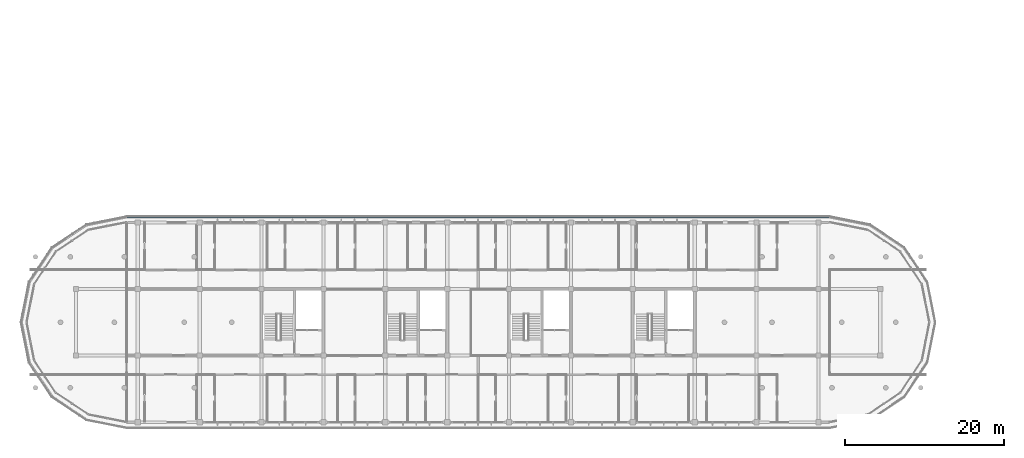
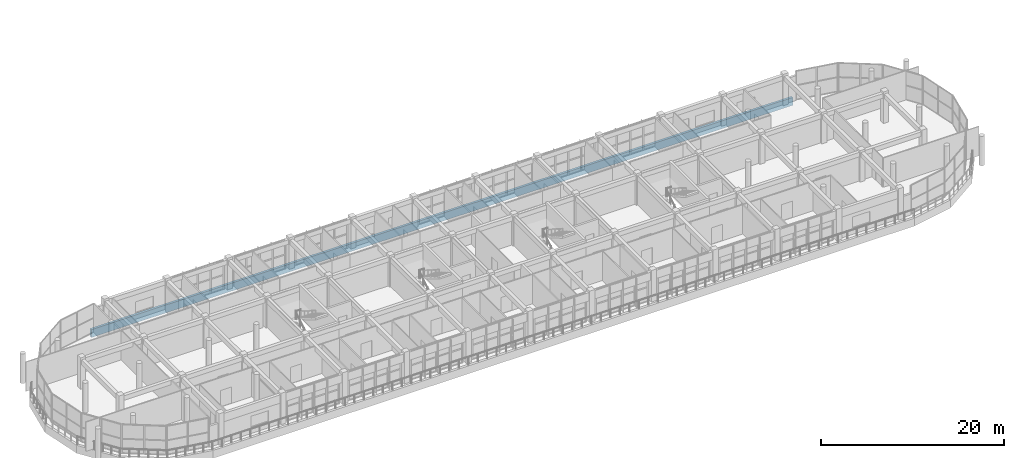
# One storey, part 44 of 57: 1 plate.
"""IFC4 building model written with IfcOpenShell, lengths in metres."""

from ifc_helpers import new_model, si_unit, direction, frame, origin, place, context, subcontext, project, spatial, polyline, outline, extrude, material, layer, layer_set, type_object, element, save


model = new_model("IFC4")

# Units and contexts
model_context = context("Model", 3, precision=1e-05, world=origin(), true_north=direction((0.0, 1.0)))
body_context = subcontext(model_context, "Body", "Model", "MODEL_VIEW")
ifc_project = project(units=[si_unit("LENGTHUNIT", "METRE"), si_unit("AREAUNIT", "SQUARE_METRE"), si_unit("VOLUMEUNIT", "CUBIC_METRE"), si_unit("PLANEANGLEUNIT", "RADIAN"), si_unit("MASSUNIT", "GRAM", prefix="KILO")], contexts=[model_context])

# Site, building, storey
site_placement = place(None, origin())
site = spatial("IfcSite", under=ifc_project, at=site_placement, CompositionType="ELEMENT")
building_placement = place(site_placement, origin())
building = spatial("IfcBuilding", under=site, at=building_placement, Name="Zizhar Promenade General Hospital", CompositionType="ELEMENT")
storey_placement = place(building_placement, frame((0.0, 0.0, 22.199951171875)))
storey = spatial("IfcBuildingStorey", under=building, at=storey_placement, Name="L05", CompositionType="ELEMENT", Elevation=22.199951171875)

# Plate
ifc_material = material(Name="Precast concrete C40/50", Category="concrete")
ifc_layer = layer(ifc_material, 0.300048828125)
ifc_layer_set = layer_set([ifc_layer], Name="Precast concrete C40/50")
plate_type = type_object("IfcPlateType", Name="PL-PC-BAND1100", PredefinedType="USERDEFINED", material=ifc_layer_set)
plate_placement = place(storey_placement, frame((0.0, 0.0, -1.050048828125)))
element("IfcPlate", 1, at=plate_placement, inside=storey, type_object=plate_type, Name="Ward Precast Slab Band L05-09", ObjectType="FASCIA_BAND", PredefinedType="USERDEFINED", context=body_context, shape_type="SweptSolid", body=[
    extrude(outline(polyline([(118.39990234375, 26.050048828125), (29.800048828125, 26.050048828125), (29.800048828125, 25.75), (118.39990234375, 25.75), (118.39990234375, 26.050048828125)])), origin(), (0.0, 0.0, 1.0), 1.050048828125),
])

save(model, "model.ifc")
